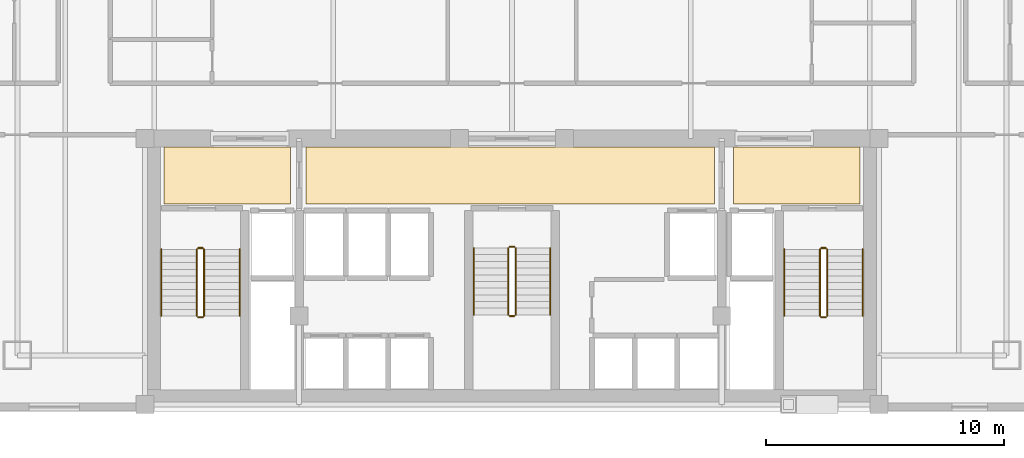
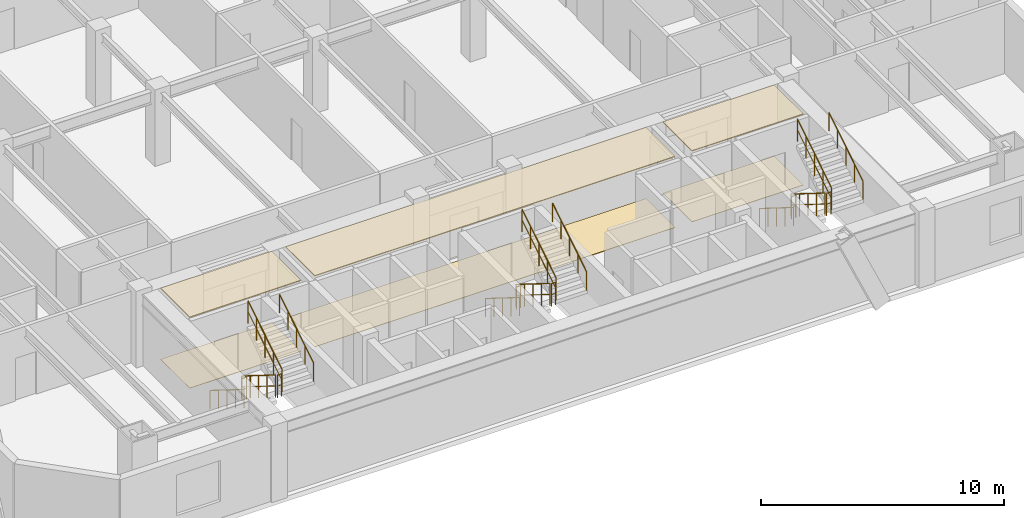
# One storey, part 8 of 8: 18 railings, 6 coverings.
"""IFC4 building model written with IfcOpenShell, lengths in metres."""

from ifc_helpers import new_model, si_unit, direction, frame, origin, origin_2d, place, context, subcontext, project, spatial, polyline, circle, outline, extrude, material, layer, layer_set, type_object, element, save


model = new_model("IFC4")

# Units and contexts
model_context = context("Model", 3, precision=1e-05, world=origin(), true_north=direction((0.0, 1.0)))
body_context = subcontext(model_context, "Body", "Model", "MODEL_VIEW")
ifc_project = project(units=[si_unit("LENGTHUNIT", "METRE"), si_unit("AREAUNIT", "SQUARE_METRE"), si_unit("VOLUMEUNIT", "CUBIC_METRE"), si_unit("PLANEANGLEUNIT", "RADIAN"), si_unit("MASSUNIT", "GRAM", prefix="KILO")], contexts=[model_context])

# Site, building, storey
site_placement = place(None, origin())
site = spatial("IfcSite", under=ifc_project, at=site_placement, CompositionType="ELEMENT")
building_placement = place(site_placement, origin())
building = spatial("IfcBuilding", under=site, at=building_placement, Name="Ventersveld Concourse Tower", CompositionType="ELEMENT")
storey_placement = place(building_placement, frame((0.0, 0.0, 127.25)))
storey = spatial("IfcBuildingStorey", under=building, at=storey_placement, Name="L31", CompositionType="ELEMENT", Elevation=127.25)

# Coverings
ifc_material_1 = material(Name="Mineral-fibre acoustic ceiling tile", Category="gypsum")
ifc_layer_1 = layer(ifc_material_1, 0.0400390625)
ifc_layer_set_1 = layer_set([ifc_layer_1], Name="Mineral-fibre acoustic ceiling tile")
covering_type_1 = type_object("IfcCoveringType", Name="COV-CEIL-ACOUSTIC", PredefinedType="CEILING", material=ifc_layer_set_1)
covering_1_placement = place(storey_placement, frame((0.0, 0.0, 3.56005859375)))
element("IfcCovering", 1, at=covering_1_placement, inside=storey, type_object=covering_type_1, Name="L31 North Lift Lobby Acoustic Ceiling", PredefinedType="CEILING", context=body_context, shape_type="SweptSolid", body=[
    extrude(outline(polyline([(20.10009765625, 8.699951171875), (37.25, 8.699951171875), (37.25, 11.10009765625), (20.10009765625, 11.10009765625), (20.10009765625, 8.699951171875)])), origin(), (0.0, 0.0, 1.0), 0.0400390625),
])
covering_2_placement = place(storey_placement, frame((0.0, 0.0, 3.56005859375)))
element("IfcCovering", 2, at=covering_2_placement, inside=storey, type_object=covering_type_1, Name="L31 West Firefighting Lobby Acoustic Ceiling", PredefinedType="CEILING", context=body_context, shape_type="SweptSolid", body=[
    extrude(outline(polyline([(14.14990234375, 8.699951171875), (19.449951171875, 8.699951171875), (19.449951171875, 11.10009765625), (14.14990234375, 11.10009765625), (14.14990234375, 8.699951171875)])), origin(), (0.0, 0.0, 1.0), 0.0400390625),
])
covering_3_placement = place(storey_placement, frame((0.0, 0.0, 3.56005859375)))
element("IfcCovering", 3, at=covering_3_placement, inside=storey, type_object=covering_type_1, Name="L31 East Firefighting Lobby Acoustic Ceiling", PredefinedType="CEILING", context=body_context, shape_type="SweptSolid", body=[
    extrude(outline(polyline([(38.050048828125, 8.699951171875), (43.35009765625, 8.699951171875), (43.35009765625, 11.10009765625), (38.050048828125, 11.10009765625), (38.050048828125, 8.699951171875)])), origin(), (0.0, 0.0, 1.0), 0.0400390625),
])
ifc_material_2 = material(Name="Polished Highveld granite terrazzo", Category="masonry")
ifc_layer_2 = layer(ifc_material_2, 0.02001953125)
ifc_layer_set_2 = layer_set([ifc_layer_2], Name="Polished Highveld granite terrazzo")
covering_type_2 = type_object("IfcCoveringType", Name="COV-FLOOR-TERRAZZO", PredefinedType="FLOORING", material=ifc_layer_set_2)
covering_4_placement = place(storey_placement, origin())
element("IfcCovering", 4, at=covering_4_placement, inside=storey, type_object=covering_type_2, Name="L31 North Lift Lobby Terrazzo Flooring", PredefinedType="FLOORING", context=body_context, shape_type="SweptSolid", body=[
    extrude(outline(polyline([(20.10009765625, 8.699951171875), (37.25, 8.699951171875), (37.25, 11.10009765625), (20.10009765625, 11.10009765625), (20.10009765625, 8.699951171875)])), origin(), (0.0, 0.0, 1.0), 0.02001953125),
])
covering_5_placement = place(storey_placement, origin())
element("IfcCovering", 5, at=covering_5_placement, inside=storey, type_object=covering_type_2, Name="L31 West Firefighting Lobby Terrazzo Flooring", PredefinedType="FLOORING", context=body_context, shape_type="SweptSolid", body=[
    extrude(outline(polyline([(14.14990234375, 8.699951171875), (19.449951171875, 8.699951171875), (19.449951171875, 11.10009765625), (14.14990234375, 11.10009765625), (14.14990234375, 8.699951171875)])), origin(), (0.0, 0.0, 1.0), 0.02001953125),
])
covering_6_placement = place(storey_placement, origin())
element("IfcCovering", 6, at=covering_6_placement, inside=storey, type_object=covering_type_2, Name="L31 East Firefighting Lobby Terrazzo Flooring", PredefinedType="FLOORING", context=body_context, shape_type="SweptSolid", body=[
    extrude(outline(polyline([(38.050048828125, 8.699951171875), (43.35009765625, 8.699951171875), (43.35009765625, 11.10009765625), (38.050048828125, 11.10009765625), (38.050048828125, 8.699951171875)])), origin(), (0.0, 0.0, 1.0), 0.02001953125),
])

# Railings
ifc_material_3 = material(Name="Brushed stainless steel 316", Category="steel")
railing_type_1 = type_object("IfcRailingType", Name="GD-BAL-115", PredefinedType="GUARDRAIL", material=ifc_material_3)
railing_1_placement = place(storey_placement, frame((15.530029296875, 6.800048828125, 0.175048828125)))
element("IfcRailing", 7, at=railing_1_placement, inside=storey, type_object=railing_type_1, Name="L31 ST-01 stair guard 1", PredefinedType="GUARDRAIL", context=body_context, shape_type="SweptSolid", body=[
    extrude(circle(Radius=0.02392578125, at=origin_2d()), frame((0.0, 0.0, 1.1259765625), z_axis=(0.0, -0.848002457836, 0.529992293815), x_axis=(1.0, 0.0, 0.0)), (0.0, 0.0, 1.0), 3.302001953125),
    extrude(circle(Radius=0.01611328125, at=origin_2d()), frame((0.0, 0.0, 0.574951171875), z_axis=(0.0, -0.848002457836, 0.529992293815), x_axis=(1.0, 0.0, 0.0)), (0.0, 0.0, 1.0), 3.302001953125),
    extrude(circle(Radius=0.02099609375, at=origin_2d()), origin(), (0.0, 0.0, 1.0), 1.101806640625),
    extrude(circle(Radius=0.02099609375, at=origin_2d()), frame((0.0, -0.699951171875, 0.4375)), (0.0, 0.0, 1.0), 1.101806640625),
    extrude(circle(Radius=0.02099609375, at=origin_2d()), frame((0.0, -1.39990234375, 0.875)), (0.0, 0.0, 1.0), 1.101806640625),
    extrude(circle(Radius=0.02099609375, at=origin_2d()), frame((0.0, -2.10009765625, 1.3125)), (0.0, 0.0, 1.0), 1.101806640625),
    extrude(circle(Radius=0.02099609375, at=origin_2d()), frame((0.0, -2.800048828125, 1.75)), (0.0, 0.0, 1.0), 1.101806640625),
])
railing_2_placement = place(storey_placement, frame((15.580078125, 3.949951171875, 1.925048828125)))
element("IfcRailing", 8, at=railing_2_placement, inside=storey, type_object=railing_type_1, Name="L31 ST-01 stair guard 2", PredefinedType="GUARDRAIL", context=body_context, shape_type="SweptSolid", body=[
    extrude(circle(Radius=0.02392578125, at=origin_2d()), frame((0.0, 0.0, 1.1259765625), z_axis=(1.0, 0.0, 0.0), x_axis=(0.0, 1.0, 0.0)), (0.0, 0.0, 1.0), 0.199951171875),
    extrude(circle(Radius=0.01611328125, at=origin_2d()), frame((0.0, 0.0, 0.574951171875), z_axis=(1.0, 0.0, 0.0), x_axis=(0.0, 1.0, 0.0)), (0.0, 0.0, 1.0), 0.199951171875),
    extrude(circle(Radius=0.02099609375, at=origin_2d()), origin(), (0.0, 0.0, 1.0), 1.101806640625),
    extrude(circle(Radius=0.02099609375, at=origin_2d()), frame((0.199951171875, 0.0, 0.0)), (0.0, 0.0, 1.0), 1.101806640625),
])
railing_3_placement = place(storey_placement, frame((15.830078125, 4.0, 2.10009765625)))
element("IfcRailing", 9, at=railing_3_placement, inside=storey, type_object=railing_type_1, Name="L31 ST-01 stair guard 3", PredefinedType="GUARDRAIL", context=body_context, shape_type="SweptSolid", body=[
    extrude(circle(Radius=0.02392578125, at=origin_2d()), frame((0.0, 0.0, 1.1259765625), z_axis=(0.0, 0.848002457836, 0.529992293815), x_axis=(-1.0, 0.0, 0.0)), (0.0, 0.0, 1.0), 3.302001953125),
    extrude(circle(Radius=0.01611328125, at=origin_2d()), frame((0.0, 0.0, 0.574951171875), z_axis=(0.0, 0.848002457836, 0.529992293815), x_axis=(-1.0, 0.0, 0.0)), (0.0, 0.0, 1.0), 3.302001953125),
    extrude(circle(Radius=0.02099609375, at=origin_2d()), origin(), (0.0, 0.0, 1.0), 1.101806640625),
    extrude(circle(Radius=0.02099609375, at=origin_2d()), frame((0.0, 0.699951171875, 0.4375)), (0.0, 0.0, 1.0), 1.101806640625),
    extrude(circle(Radius=0.02099609375, at=origin_2d()), frame((0.0, 1.39990234375, 0.875)), (0.0, 0.0, 1.0), 1.101806640625),
    extrude(circle(Radius=0.02099609375, at=origin_2d()), frame((0.0, 2.10009765625, 1.3125)), (0.0, 0.0, 1.0), 1.101806640625),
    extrude(circle(Radius=0.02099609375, at=origin_2d()), frame((0.0, 2.800048828125, 1.75)), (0.0, 0.0, 1.0), 1.101806640625),
])
railing_4_placement = place(storey_placement, frame((15.580078125, 6.85009765625, 0.0)))
element("IfcRailing", 10, at=railing_4_placement, inside=storey, type_object=railing_type_1, Name="L31 ST-01 stair guard 4", PredefinedType="GUARDRAIL", context=body_context, shape_type="SweptSolid", body=[
    extrude(circle(Radius=0.02392578125, at=origin_2d()), frame((0.0, 0.0, 1.1259765625), z_axis=(1.0, 0.0, 0.0), x_axis=(0.0, 1.0, 0.0)), (0.0, 0.0, 1.0), 0.199951171875),
    extrude(circle(Radius=0.01611328125, at=origin_2d()), frame((0.0, 0.0, 0.574951171875), z_axis=(1.0, 0.0, 0.0), x_axis=(0.0, 1.0, 0.0)), (0.0, 0.0, 1.0), 0.199951171875),
    extrude(circle(Radius=0.02099609375, at=origin_2d()), origin(), (0.0, 0.0, 1.0), 1.101806640625),
    extrude(circle(Radius=0.02099609375, at=origin_2d()), frame((0.199951171875, 0.0, 0.0)), (0.0, 0.0, 1.0), 1.101806640625),
])
railing_5_placement = place(storey_placement, frame((41.669921875, 6.800048828125, 0.175048828125)))
element("IfcRailing", 11, at=railing_5_placement, inside=storey, type_object=railing_type_1, Name="L31 ST-02 stair guard 1", PredefinedType="GUARDRAIL", context=body_context, shape_type="SweptSolid", body=[
    extrude(circle(Radius=0.02392578125, at=origin_2d()), frame((0.0, 0.0, 1.1259765625), z_axis=(0.0, -0.848002457836, 0.529992293815), x_axis=(1.0, 0.0, 0.0)), (0.0, 0.0, 1.0), 3.302001953125),
    extrude(circle(Radius=0.01611328125, at=origin_2d()), frame((0.0, 0.0, 0.574951171875), z_axis=(0.0, -0.848002457836, 0.529992293815), x_axis=(1.0, 0.0, 0.0)), (0.0, 0.0, 1.0), 3.302001953125),
    extrude(circle(Radius=0.02099609375, at=origin_2d()), origin(), (0.0, 0.0, 1.0), 1.101806640625),
    extrude(circle(Radius=0.02099609375, at=origin_2d()), frame((0.0, -0.699951171875, 0.4375)), (0.0, 0.0, 1.0), 1.101806640625),
    extrude(circle(Radius=0.02099609375, at=origin_2d()), frame((0.0, -1.39990234375, 0.875)), (0.0, 0.0, 1.0), 1.101806640625),
    extrude(circle(Radius=0.02099609375, at=origin_2d()), frame((0.0, -2.10009765625, 1.3125)), (0.0, 0.0, 1.0), 1.101806640625),
    extrude(circle(Radius=0.02099609375, at=origin_2d()), frame((0.0, -2.800048828125, 1.75)), (0.0, 0.0, 1.0), 1.101806640625),
])
railing_6_placement = place(storey_placement, frame((41.719970703125, 3.949951171875, 1.925048828125)))
element("IfcRailing", 12, at=railing_6_placement, inside=storey, type_object=railing_type_1, Name="L31 ST-02 stair guard 2", PredefinedType="GUARDRAIL", context=body_context, shape_type="SweptSolid", body=[
    extrude(circle(Radius=0.02392578125, at=origin_2d()), frame((0.0, 0.0, 1.1259765625), z_axis=(1.0, 0.0, 0.0), x_axis=(0.0, 1.0, 0.0)), (0.0, 0.0, 1.0), 0.199951171875),
    extrude(circle(Radius=0.01611328125, at=origin_2d()), frame((0.0, 0.0, 0.574951171875), z_axis=(1.0, 0.0, 0.0), x_axis=(0.0, 1.0, 0.0)), (0.0, 0.0, 1.0), 0.199951171875),
    extrude(circle(Radius=0.02099609375, at=origin_2d()), origin(), (0.0, 0.0, 1.0), 1.101806640625),
    extrude(circle(Radius=0.02099609375, at=origin_2d()), frame((0.199951171875, 0.0, 0.0)), (0.0, 0.0, 1.0), 1.101806640625),
])
railing_7_placement = place(storey_placement, frame((41.969970703125, 4.0, 2.10009765625)))
element("IfcRailing", 13, at=railing_7_placement, inside=storey, type_object=railing_type_1, Name="L31 ST-02 stair guard 3", PredefinedType="GUARDRAIL", context=body_context, shape_type="SweptSolid", body=[
    extrude(circle(Radius=0.02392578125, at=origin_2d()), frame((0.0, 0.0, 1.1259765625), z_axis=(0.0, 0.848002457836, 0.529992293815), x_axis=(-1.0, 0.0, 0.0)), (0.0, 0.0, 1.0), 3.302001953125),
    extrude(circle(Radius=0.01611328125, at=origin_2d()), frame((0.0, 0.0, 0.574951171875), z_axis=(0.0, 0.848002457836, 0.529992293815), x_axis=(-1.0, 0.0, 0.0)), (0.0, 0.0, 1.0), 3.302001953125),
    extrude(circle(Radius=0.02099609375, at=origin_2d()), origin(), (0.0, 0.0, 1.0), 1.101806640625),
    extrude(circle(Radius=0.02099609375, at=origin_2d()), frame((0.0, 0.699951171875, 0.4375)), (0.0, 0.0, 1.0), 1.101806640625),
    extrude(circle(Radius=0.02099609375, at=origin_2d()), frame((0.0, 1.39990234375, 0.875)), (0.0, 0.0, 1.0), 1.101806640625),
    extrude(circle(Radius=0.02099609375, at=origin_2d()), frame((0.0, 2.10009765625, 1.3125)), (0.0, 0.0, 1.0), 1.101806640625),
    extrude(circle(Radius=0.02099609375, at=origin_2d()), frame((0.0, 2.800048828125, 1.75)), (0.0, 0.0, 1.0), 1.101806640625),
])
railing_8_placement = place(storey_placement, frame((41.719970703125, 6.85009765625, 0.0)))
element("IfcRailing", 14, at=railing_8_placement, inside=storey, type_object=railing_type_1, Name="L31 ST-02 stair guard 4", PredefinedType="GUARDRAIL", context=body_context, shape_type="SweptSolid", body=[
    extrude(circle(Radius=0.02392578125, at=origin_2d()), frame((0.0, 0.0, 1.1259765625), z_axis=(1.0, 0.0, 0.0), x_axis=(0.0, 1.0, 0.0)), (0.0, 0.0, 1.0), 0.199951171875),
    extrude(circle(Radius=0.01611328125, at=origin_2d()), frame((0.0, 0.0, 0.574951171875), z_axis=(1.0, 0.0, 0.0), x_axis=(0.0, 1.0, 0.0)), (0.0, 0.0, 1.0), 0.199951171875),
    extrude(circle(Radius=0.02099609375, at=origin_2d()), origin(), (0.0, 0.0, 1.0), 1.101806640625),
    extrude(circle(Radius=0.02099609375, at=origin_2d()), frame((0.199951171875, 0.0, 0.0)), (0.0, 0.0, 1.0), 1.101806640625),
])
railing_9_placement = place(storey_placement, frame((28.60009765625, 6.85009765625, 0.175048828125)))
element("IfcRailing", 15, at=railing_9_placement, inside=storey, type_object=railing_type_1, Name="L31 ST-03 stair guard 1", PredefinedType="GUARDRAIL", context=body_context, shape_type="SweptSolid", body=[
    extrude(circle(Radius=0.02392578125, at=origin_2d()), frame((0.0, 0.0, 1.1259765625), z_axis=(0.0, -0.848002457836, 0.529992293815), x_axis=(1.0, 0.0, 0.0)), (0.0, 0.0, 1.0), 3.302001953125),
    extrude(circle(Radius=0.01611328125, at=origin_2d()), frame((0.0, 0.0, 0.574951171875), z_axis=(0.0, -0.848002457836, 0.529992293815), x_axis=(1.0, 0.0, 0.0)), (0.0, 0.0, 1.0), 3.302001953125),
    extrude(circle(Radius=0.02099609375, at=origin_2d()), origin(), (0.0, 0.0, 1.0), 1.101806640625),
    extrude(circle(Radius=0.02099609375, at=origin_2d()), frame((0.0, -0.699951171875, 0.4375)), (0.0, 0.0, 1.0), 1.101806640625),
    extrude(circle(Radius=0.02099609375, at=origin_2d()), frame((0.0, -1.39990234375, 0.875)), (0.0, 0.0, 1.0), 1.101806640625),
    extrude(circle(Radius=0.02099609375, at=origin_2d()), frame((0.0, -2.10009765625, 1.3125)), (0.0, 0.0, 1.0), 1.101806640625),
    extrude(circle(Radius=0.02099609375, at=origin_2d()), frame((0.0, -2.800048828125, 1.75)), (0.0, 0.0, 1.0), 1.101806640625),
])
railing_10_placement = place(storey_placement, frame((28.64990234375, 4.0, 1.925048828125)))
element("IfcRailing", 16, at=railing_10_placement, inside=storey, type_object=railing_type_1, Name="L31 ST-03 stair guard 2", PredefinedType="GUARDRAIL", context=body_context, shape_type="SweptSolid", body=[
    extrude(circle(Radius=0.02392578125, at=origin_2d()), frame((0.0, 0.0, 1.1259765625), z_axis=(1.0, 0.0, 0.0), x_axis=(0.0, 1.0, 0.0)), (0.0, 0.0, 1.0), 0.2001953125),
    extrude(circle(Radius=0.01611328125, at=origin_2d()), frame((0.0, 0.0, 0.574951171875), z_axis=(1.0, 0.0, 0.0), x_axis=(0.0, 1.0, 0.0)), (0.0, 0.0, 1.0), 0.2001953125),
    extrude(circle(Radius=0.02099609375, at=origin_2d()), origin(), (0.0, 0.0, 1.0), 1.101806640625),
    extrude(circle(Radius=0.02099609375, at=origin_2d()), frame((0.2001953125, 0.0, 0.0)), (0.0, 0.0, 1.0), 1.101806640625),
])
railing_11_placement = place(storey_placement, frame((28.89990234375, 4.050048828125, 2.10009765625)))
element("IfcRailing", 17, at=railing_11_placement, inside=storey, type_object=railing_type_1, Name="L31 ST-03 stair guard 3", PredefinedType="GUARDRAIL", context=body_context, shape_type="SweptSolid", body=[
    extrude(circle(Radius=0.02392578125, at=origin_2d()), frame((0.0, 0.0, 1.1259765625), z_axis=(0.0, 0.848002457836, 0.529992293815), x_axis=(-1.0, 0.0, 0.0)), (0.0, 0.0, 1.0), 3.302001953125),
    extrude(circle(Radius=0.01611328125, at=origin_2d()), frame((0.0, 0.0, 0.574951171875), z_axis=(0.0, 0.848002457836, 0.529992293815), x_axis=(-1.0, 0.0, 0.0)), (0.0, 0.0, 1.0), 3.302001953125),
    extrude(circle(Radius=0.02099609375, at=origin_2d()), origin(), (0.0, 0.0, 1.0), 1.101806640625),
    extrude(circle(Radius=0.02099609375, at=origin_2d()), frame((0.0, 0.699951171875, 0.4375)), (0.0, 0.0, 1.0), 1.101806640625),
    extrude(circle(Radius=0.02099609375, at=origin_2d()), frame((0.0, 1.39990234375, 0.875)), (0.0, 0.0, 1.0), 1.101806640625),
    extrude(circle(Radius=0.02099609375, at=origin_2d()), frame((0.0, 2.10009765625, 1.3125)), (0.0, 0.0, 1.0), 1.101806640625),
    extrude(circle(Radius=0.02099609375, at=origin_2d()), frame((0.0, 2.800048828125, 1.75)), (0.0, 0.0, 1.0), 1.101806640625),
])
railing_12_placement = place(storey_placement, frame((28.64990234375, 6.89990234375, 0.0)))
element("IfcRailing", 18, at=railing_12_placement, inside=storey, type_object=railing_type_1, Name="L31 ST-03 stair guard 4", PredefinedType="GUARDRAIL", context=body_context, shape_type="SweptSolid", body=[
    extrude(circle(Radius=0.02392578125, at=origin_2d()), frame((0.0, 0.0, 1.1259765625), z_axis=(1.0, 0.0, 0.0), x_axis=(0.0, 1.0, 0.0)), (0.0, 0.0, 1.0), 0.2001953125),
    extrude(circle(Radius=0.01611328125, at=origin_2d()), frame((0.0, 0.0, 0.574951171875), z_axis=(1.0, 0.0, 0.0), x_axis=(0.0, 1.0, 0.0)), (0.0, 0.0, 1.0), 0.2001953125),
    extrude(circle(Radius=0.02099609375, at=origin_2d()), origin(), (0.0, 0.0, 1.0), 1.101806640625),
    extrude(circle(Radius=0.02099609375, at=origin_2d()), frame((0.2001953125, 0.0, 0.0)), (0.0, 0.0, 1.0), 1.101806640625),
])
railing_type_2 = type_object("IfcRailingType", Name="HR-RMP-095", PredefinedType="HANDRAIL", material=ifc_material_3)
railing_13_placement = place(storey_placement, frame((14.030029296875, 6.800048828125, 0.175048828125)))
element("IfcRailing", 19, at=railing_13_placement, inside=storey, type_object=railing_type_2, Name="L31 ST-01 stair handrail 1", PredefinedType="HANDRAIL", context=body_context, shape_type="SweptSolid", body=[
    extrude(circle(Radius=0.02392578125, at=origin_2d()), frame((0.0, 0.0, 0.92578125), z_axis=(0.0, -0.848002457836, 0.529992293815), x_axis=(1.0, 0.0, 0.0)), (0.0, 0.0, 1.0), 3.302001953125),
    extrude(circle(Radius=0.02099609375, at=origin_2d()), origin(), (0.0, 0.0, 1.0), 0.90185546875),
    extrude(circle(Radius=0.02099609375, at=origin_2d()), frame((0.0, -0.699951171875, 0.4375)), (0.0, 0.0, 1.0), 0.90185546875),
    extrude(circle(Radius=0.02099609375, at=origin_2d()), frame((0.0, -1.39990234375, 0.875)), (0.0, 0.0, 1.0), 0.90185546875),
    extrude(circle(Radius=0.02099609375, at=origin_2d()), frame((0.0, -2.10009765625, 1.3125)), (0.0, 0.0, 1.0), 0.90185546875),
    extrude(circle(Radius=0.02099609375, at=origin_2d()), frame((0.0, -2.800048828125, 1.75)), (0.0, 0.0, 1.0), 0.90185546875),
])
railing_14_placement = place(storey_placement, frame((17.330078125, 4.0, 2.10009765625)))
element("IfcRailing", 20, at=railing_14_placement, inside=storey, type_object=railing_type_2, Name="L31 ST-01 stair handrail 2", PredefinedType="HANDRAIL", context=body_context, shape_type="SweptSolid", body=[
    extrude(circle(Radius=0.02392578125, at=origin_2d()), frame((0.0, 0.0, 0.92578125), z_axis=(0.0, 0.848002457836, 0.529992293815), x_axis=(-1.0, 0.0, 0.0)), (0.0, 0.0, 1.0), 3.302001953125),
    extrude(circle(Radius=0.02099609375, at=origin_2d()), origin(), (0.0, 0.0, 1.0), 0.90185546875),
    extrude(circle(Radius=0.02099609375, at=origin_2d()), frame((0.0, 0.699951171875, 0.4375)), (0.0, 0.0, 1.0), 0.90185546875),
    extrude(circle(Radius=0.02099609375, at=origin_2d()), frame((0.0, 1.39990234375, 0.875)), (0.0, 0.0, 1.0), 0.90185546875),
    extrude(circle(Radius=0.02099609375, at=origin_2d()), frame((0.0, 2.10009765625, 1.3125)), (0.0, 0.0, 1.0), 0.90185546875),
    extrude(circle(Radius=0.02099609375, at=origin_2d()), frame((0.0, 2.800048828125, 1.75)), (0.0, 0.0, 1.0), 0.90185546875),
])
railing_15_placement = place(storey_placement, frame((40.169921875, 6.800048828125, 0.175048828125)))
element("IfcRailing", 21, at=railing_15_placement, inside=storey, type_object=railing_type_2, Name="L31 ST-02 stair handrail 1", PredefinedType="HANDRAIL", context=body_context, shape_type="SweptSolid", body=[
    extrude(circle(Radius=0.02392578125, at=origin_2d()), frame((0.0, 0.0, 0.92578125), z_axis=(0.0, -0.848002457836, 0.529992293815), x_axis=(1.0, 0.0, 0.0)), (0.0, 0.0, 1.0), 3.302001953125),
    extrude(circle(Radius=0.02099609375, at=origin_2d()), origin(), (0.0, 0.0, 1.0), 0.90185546875),
    extrude(circle(Radius=0.02099609375, at=origin_2d()), frame((0.0, -0.699951171875, 0.4375)), (0.0, 0.0, 1.0), 0.90185546875),
    extrude(circle(Radius=0.02099609375, at=origin_2d()), frame((0.0, -1.39990234375, 0.875)), (0.0, 0.0, 1.0), 0.90185546875),
    extrude(circle(Radius=0.02099609375, at=origin_2d()), frame((0.0, -2.10009765625, 1.3125)), (0.0, 0.0, 1.0), 0.90185546875),
    extrude(circle(Radius=0.02099609375, at=origin_2d()), frame((0.0, -2.800048828125, 1.75)), (0.0, 0.0, 1.0), 0.90185546875),
])
railing_16_placement = place(storey_placement, frame((43.469970703125, 4.0, 2.10009765625)))
element("IfcRailing", 22, at=railing_16_placement, inside=storey, type_object=railing_type_2, Name="L31 ST-02 stair handrail 2", PredefinedType="HANDRAIL", context=body_context, shape_type="SweptSolid", body=[
    extrude(circle(Radius=0.02392578125, at=origin_2d()), frame((0.0, 0.0, 0.92578125), z_axis=(0.0, 0.848002457836, 0.529992293815), x_axis=(-1.0, 0.0, 0.0)), (0.0, 0.0, 1.0), 3.302001953125),
    extrude(circle(Radius=0.02099609375, at=origin_2d()), origin(), (0.0, 0.0, 1.0), 0.90185546875),
    extrude(circle(Radius=0.02099609375, at=origin_2d()), frame((0.0, 0.699951171875, 0.4375)), (0.0, 0.0, 1.0), 0.90185546875),
    extrude(circle(Radius=0.02099609375, at=origin_2d()), frame((0.0, 1.39990234375, 0.875)), (0.0, 0.0, 1.0), 0.90185546875),
    extrude(circle(Radius=0.02099609375, at=origin_2d()), frame((0.0, 2.10009765625, 1.3125)), (0.0, 0.0, 1.0), 0.90185546875),
    extrude(circle(Radius=0.02099609375, at=origin_2d()), frame((0.0, 2.800048828125, 1.75)), (0.0, 0.0, 1.0), 0.90185546875),
])
railing_17_placement = place(storey_placement, frame((27.14990234375, 6.85009765625, 0.175048828125)))
element("IfcRailing", 23, at=railing_17_placement, inside=storey, type_object=railing_type_2, Name="L31 ST-03 stair handrail 1", PredefinedType="HANDRAIL", context=body_context, shape_type="SweptSolid", body=[
    extrude(circle(Radius=0.02392578125, at=origin_2d()), frame((0.0, 0.0, 0.92578125), z_axis=(0.0, -0.848002457836, 0.529992293815), x_axis=(1.0, 0.0, 0.0)), (0.0, 0.0, 1.0), 3.302001953125),
    extrude(circle(Radius=0.02099609375, at=origin_2d()), origin(), (0.0, 0.0, 1.0), 0.90185546875),
    extrude(circle(Radius=0.02099609375, at=origin_2d()), frame((0.0, -0.699951171875, 0.4375)), (0.0, 0.0, 1.0), 0.90185546875),
    extrude(circle(Radius=0.02099609375, at=origin_2d()), frame((0.0, -1.39990234375, 0.875)), (0.0, 0.0, 1.0), 0.90185546875),
    extrude(circle(Radius=0.02099609375, at=origin_2d()), frame((0.0, -2.10009765625, 1.3125)), (0.0, 0.0, 1.0), 0.90185546875),
    extrude(circle(Radius=0.02099609375, at=origin_2d()), frame((0.0, -2.800048828125, 1.75)), (0.0, 0.0, 1.0), 0.90185546875),
])
railing_18_placement = place(storey_placement, frame((30.35009765625, 4.050048828125, 2.10009765625)))
element("IfcRailing", 24, at=railing_18_placement, inside=storey, type_object=railing_type_2, Name="L31 ST-03 stair handrail 2", PredefinedType="HANDRAIL", context=body_context, shape_type="SweptSolid", body=[
    extrude(circle(Radius=0.02392578125, at=origin_2d()), frame((0.0, 0.0, 0.92578125), z_axis=(0.0, 0.848002457836, 0.529992293815), x_axis=(-1.0, 0.0, 0.0)), (0.0, 0.0, 1.0), 3.302001953125),
    extrude(circle(Radius=0.02099609375, at=origin_2d()), origin(), (0.0, 0.0, 1.0), 0.90185546875),
    extrude(circle(Radius=0.02099609375, at=origin_2d()), frame((0.0, 0.699951171875, 0.4375)), (0.0, 0.0, 1.0), 0.90185546875),
    extrude(circle(Radius=0.02099609375, at=origin_2d()), frame((0.0, 1.39990234375, 0.875)), (0.0, 0.0, 1.0), 0.90185546875),
    extrude(circle(Radius=0.02099609375, at=origin_2d()), frame((0.0, 2.10009765625, 1.3125)), (0.0, 0.0, 1.0), 0.90185546875),
    extrude(circle(Radius=0.02099609375, at=origin_2d()), frame((0.0, 2.800048828125, 1.75)), (0.0, 0.0, 1.0), 0.90185546875),
])

save(model, "model.ifc")
